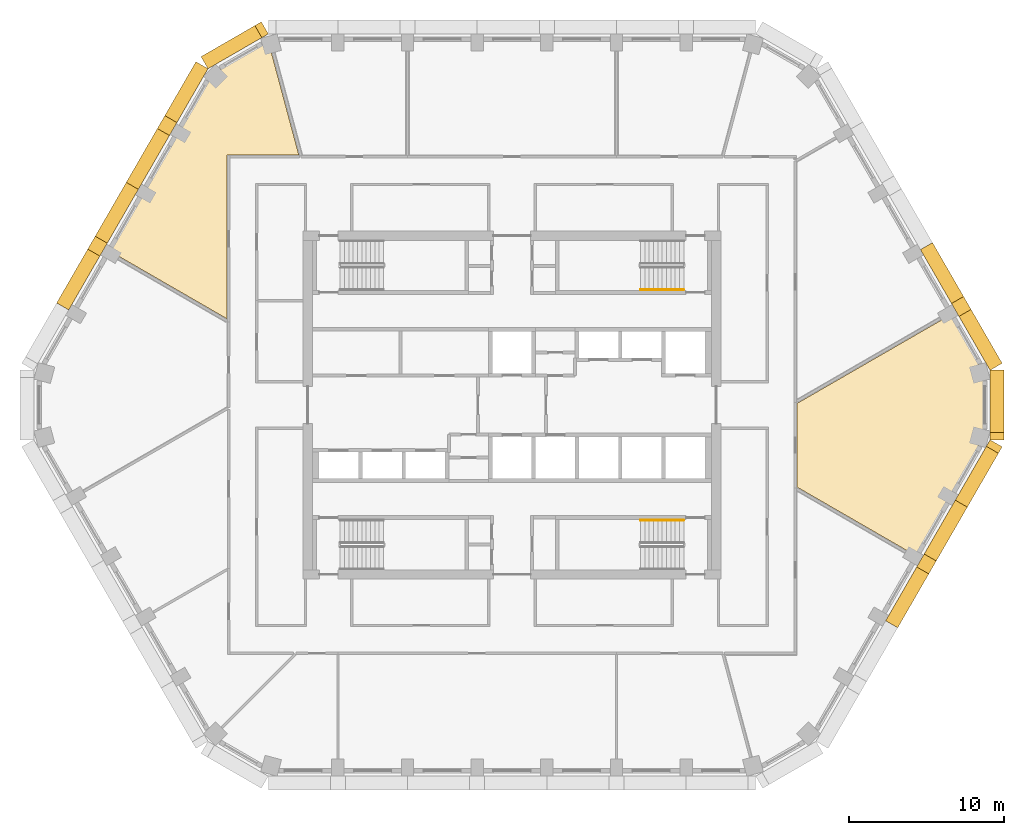
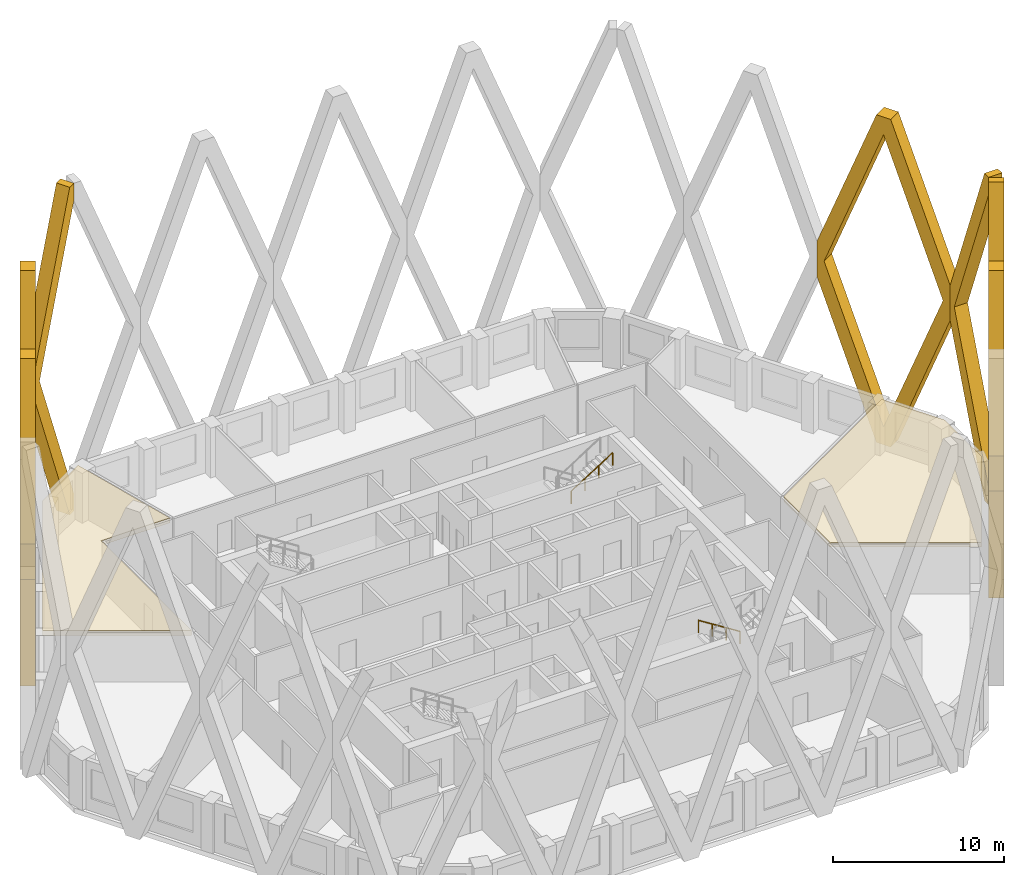
# One storey, part 13 of 16: 9 coverings, 2 railings.
"""IFC4 building model written with IfcOpenShell, lengths in metres."""

from ifc_helpers import new_model, si_unit, direction, frame, origin, origin_2d, place, context, subcontext, project, spatial, polyline, circle, outline, extrude, material, layer, layer_set, type_object, element, save


model = new_model("IFC4")

# Units and contexts
model_context = context("Model", 3, precision=1e-05, world=origin(), true_north=direction((0.0, 1.0)))
body_context = subcontext(model_context, "Body", "Model", "MODEL_VIEW")
ifc_project = project(units=[si_unit("LENGTHUNIT", "METRE"), si_unit("AREAUNIT", "SQUARE_METRE"), si_unit("VOLUMEUNIT", "CUBIC_METRE"), si_unit("PLANEANGLEUNIT", "RADIAN"), si_unit("MASSUNIT", "GRAM", prefix="KILO")], contexts=[model_context])

# Site, building, storey
site_placement = place(None, origin())
site = spatial("IfcSite", under=ifc_project, at=site_placement, CompositionType="ELEMENT")
building_placement = place(site_placement, origin())
building = spatial("IfcBuilding", under=site, at=building_placement, Name="Dhurran Vertical Campus", CompositionType="ELEMENT")
storey_placement = place(building_placement, frame((0.0, 0.0, 183.89990234375)))
storey = spatial("IfcBuildingStorey", under=building, at=storey_placement, Name="L45", CompositionType="ELEMENT", Elevation=183.89990234375)

# Coverings
ifc_material_1 = material(Name="Precast concrete C50/60", Category="concrete")
covering_type_1 = type_object("IfcCoveringType", Name="Folded precast fin lattice diamond", PredefinedType="USERDEFINED", material=ifc_material_1)
covering_1_placement = place(storey_placement, frame((24.147216796875, -13.94140625, 0.0), z_axis=(0.866013897511, -0.50001992892, 0.0), x_axis=(0.50001992892, 0.866013897511, 0.0)))
element("IfcCovering", 1, at=covering_1_placement, inside=storey, type_object=covering_type_1, Name="FN1 L45.007", ObjectType="FIN", PredefinedType="USERDEFINED", context=body_context, shape_type="SweptSolid", body=[
    extrude(outline(polyline([(9.0, 12.95361328125), (9.0, 10.4462890625), (4.982177734375, 0.0), (4.017822265625, 0.0), (0.0, 10.4462890625), (0.0, 12.95361328125), (4.017822265625, 23.39990234375), (4.982177734375, 23.39990234375), (9.0, 12.95361328125)]), holes=[polyline([(8.517822265625, 11.699951171875), (4.5, 22.146484375), (0.482177734375, 11.699951171875), (4.5, 1.253662109375), (8.517822265625, 11.699951171875)])]), origin(), (0.0, 0.0, 1.0), 0.89990234375),
])
covering_2_placement = place(storey_placement, frame((28.647216796875, -6.147216796875, 0.0), z_axis=(0.866013897511, -0.50001992892, 0.0), x_axis=(0.50001992892, 0.866013897511, 0.0)))
element("IfcCovering", 2, at=covering_2_placement, inside=storey, type_object=covering_type_1, Name="FN1 L45.008", ObjectType="FIN", PredefinedType="USERDEFINED", context=body_context, shape_type="SweptSolid", body=[
    extrude(outline(polyline([(4.017822265625, 0.0), (0.0, 10.4462890625), (0.0, 12.95361328125), (4.017822265625, 23.39990234375), (4.5, 23.39990234375), (4.5, 22.146484375), (0.482177734375, 11.699951171875), (4.5, 1.253662109375), (4.5, 0.0), (4.017822265625, 0.0)])), origin(), (0.0, 0.0, 1.0), 0.89990234375),
])
covering_3_placement = place(storey_placement, frame((30.897216796875, -2.25, 0.0), z_axis=(1.0, 0.0, 0.0), x_axis=(0.0, 1.0, 0.0)))
element("IfcCovering", 3, at=covering_3_placement, inside=storey, type_object=covering_type_1, Name="FN1 L45.009", ObjectType="FIN", PredefinedType="USERDEFINED", context=body_context, shape_type="SweptSolid", body=[
    extrude(outline(polyline([(4.5, 10.4462890625), (0.482177734375, 0.0), (0.0, 0.0), (0.0, 1.253662109375), (4.017822265625, 11.699951171875), (0.0, 22.146484375), (0.0, 23.39990234375), (0.482177734375, 23.39990234375), (4.5, 12.95361328125), (4.5, 10.4462890625)])), origin(), (0.0, 0.0, 1.0), 0.89990234375),
])
covering_4_placement = place(storey_placement, frame((30.897216796875, 2.25, 0.0), z_axis=(0.866013897511, 0.50001992892, 0.0), x_axis=(-0.50001992892, 0.866013897511, 0.0)))
element("IfcCovering", 4, at=covering_4_placement, inside=storey, type_object=covering_type_1, Name="FN1 L45.010", ObjectType="FIN", PredefinedType="USERDEFINED", context=body_context, shape_type="SweptSolid", body=[
    extrude(outline(polyline([(9.0, 12.95361328125), (9.0, 10.4462890625), (4.982177734375, 0.0), (4.017822265625, 0.0), (0.0, 10.4462890625), (0.0, 12.95361328125), (4.017822265625, 23.39990234375), (4.982177734375, 23.39990234375), (9.0, 12.95361328125)]), holes=[polyline([(8.517822265625, 11.699951171875), (4.5, 22.146484375), (0.482177734375, 11.699951171875), (4.5, 1.253662109375), (8.517822265625, 11.699951171875)])]), origin(), (0.0, 0.0, 1.0), 0.89990234375),
])
covering_5_placement = place(storey_placement, frame((-15.75, 23.985595703125, 0.0), z_axis=(-0.50001992892, 0.866013897511, 0.0), x_axis=(-0.866013897511, -0.50001992892, 0.0)))
element("IfcCovering", 5, at=covering_5_placement, inside=storey, type_object=covering_type_1, Name="FN1 L45.018", ObjectType="FIN", PredefinedType="USERDEFINED", context=body_context, shape_type="SweptSolid", body=[
    extrude(outline(polyline([(4.5, 10.4462890625), (0.482177734375, 0.0), (0.0, 0.0), (0.0, 1.253662109375), (4.017822265625, 11.699951171875), (0.0, 22.146484375), (0.0, 23.39990234375), (0.482177734375, 23.39990234375), (4.5, 12.95361328125), (4.5, 10.4462890625)])), origin(), (0.0, 0.0, 1.0), 0.89990234375),
])
for number, where, z_axis, x_axis, name in (
    (6, (-19.647216796875, 21.735595703125, 0.0), (-0.866013897511, 0.50001992892, 0.0), (-0.50001992892, -0.866013897511, 0.0), "FN1 L45.019"),
    (7, (-24.147216796875, 13.94140625, 0.0), (-0.866013897511, 0.50001992892, 0.0), (-0.50001992892, -0.866013897511, 0.0), "FN1 L45.020"),
):
    element("IfcCovering", number, at=place(storey_placement, frame(where, z_axis=z_axis, x_axis=x_axis)), inside=storey, type_object=covering_type_1, Name=name, ObjectType="FIN", PredefinedType="USERDEFINED", context=body_context, shape_type="SweptSolid", body=[
        extrude(outline(polyline([(9.0, 12.95361328125), (9.0, 10.4462890625), (4.982177734375, 0.0), (4.017822265625, 0.0), (0.0, 10.4462890625), (0.0, 12.95361328125), (4.017822265625, 23.39990234375), (4.982177734375, 23.39990234375), (9.0, 12.95361328125)]), holes=[polyline([(8.517822265625, 11.699951171875), (4.5, 22.146484375), (0.482177734375, 11.699951171875), (4.5, 1.253662109375), (8.517822265625, 11.699951171875)])]), origin(), (0.0, 0.0, 1.0), 0.89990234375),
    ])

# Railings
ifc_material_2 = material(Name="Stainless steel handrail", Category="steel")
railing_type = type_object("IfcRailingType", Name="co-RL-HANDRAIL-900", PredefinedType="HANDRAIL", material=ifc_material_2)
railing_1_placement = place(storey_placement, frame((8.300048828125, 7.449951171875, 2.12744140625)))
element("IfcRailing", 8, at=railing_1_placement, inside=storey, type_object=railing_type, Name="L45 ST2 stair handrail 2", PredefinedType="HANDRAIL", context=body_context, shape_type="SweptSolid", body=[
    extrude(circle(Radius=0.02392578125, at=origin_2d()), frame((0.0, 0.0, 0.8759765625), z_axis=(0.844908973607, 0.0, 0.534910110503), x_axis=(0.0, 1.0, 0.0)), (0.0, 0.0, 1.0), 3.31396484375),
    extrude(circle(Radius=0.02099609375, at=origin_2d()), origin(), (0.0, 0.0, 1.0), 0.851806640625),
    extrude(circle(Radius=0.02099609375, at=origin_2d()), frame((0.933349609375, 0.0, 0.5908203125)), (0.0, 0.0, 1.0), 0.851806640625),
    extrude(circle(Radius=0.02099609375, at=origin_2d()), frame((1.86669921875, 0.0, 1.181884765625)), (0.0, 0.0, 1.0), 0.851806640625),
    extrude(circle(Radius=0.02099609375, at=origin_2d()), frame((2.800048828125, 0.0, 1.772705078125)), (0.0, 0.0, 1.0), 0.851806640625),
])
railing_2_placement = place(storey_placement, frame((11.10009765625, -7.449951171875, 0.177490234375)))
element("IfcRailing", 9, at=railing_2_placement, inside=storey, type_object=railing_type, Name="L45 ST4 stair handrail 1", PredefinedType="HANDRAIL", context=body_context, shape_type="SweptSolid", body=[
    extrude(circle(Radius=0.02392578125, at=origin_2d()), frame((0.0, 0.0, 0.8759765625), z_axis=(-0.844908973607, 0.0, 0.534910110503), x_axis=(0.0, -1.0, 0.0)), (0.0, 0.0, 1.0), 3.31396484375),
    extrude(circle(Radius=0.02099609375, at=origin_2d()), origin(), (0.0, 0.0, 1.0), 0.851806640625),
    extrude(circle(Radius=0.02099609375, at=origin_2d()), frame((-0.933349609375, 0.0, 0.5908203125)), (0.0, 0.0, 1.0), 0.851806640625),
    extrude(circle(Radius=0.02099609375, at=origin_2d()), frame((-1.86669921875, 0.0, 1.181884765625)), (0.0, 0.0, 1.0), 0.851806640625),
    extrude(circle(Radius=0.02099609375, at=origin_2d()), frame((-2.800048828125, 0.0, 1.772705078125)), (0.0, 0.0, 1.0), 0.851806640625),
])

# Coverings
ifc_material_3 = material(Name="Mineral fibre ceiling tiles on suspended grid")
ifc_layer = layer(ifc_material_3, 0.35009765625)
ifc_layer_set = layer_set([ifc_layer], Name="Mineral fibre ceiling tiles on suspended grid")
covering_type_2 = type_object("IfcCoveringType", Name="fl-CE-350 suspended ceiling", PredefinedType="CEILING", material=ifc_layer_set)
covering_6_placement = place(storey_placement, frame((0.0, 0.0, 3.2001953125)))
element("IfcCovering", 10, at=covering_6_placement, inside=storey, type_object=covering_type_2, Name="Ceiling 45-11", PredefinedType="CEILING", context=body_context, shape_type="SweptSolid", body=[
    extrude(outline(polyline([(-25.972900390625, 9.93798828125), (-19.339111328125, 21.427978515625), (-15.7451171875, 23.50390625), (-13.780029296875, 16.169921875), (-18.419921875, 16.169921875), (-18.419921875, 5.576904296875), (-25.972900390625, 9.93798828125)])), origin(), (0.0, 0.0, 1.0), 0.349853515625),
])
covering_7_placement = place(storey_placement, frame((0.0, 0.0, 3.2001953125)))
element("IfcCovering", 11, at=covering_7_placement, inside=storey, type_object=covering_type_2, Name="Ceiling 45-31", PredefinedType="CEILING", context=body_context, shape_type="SweptSolid", body=[
    extrude(outline(polyline([(28.343017578125, 5.8330078125), (30.47705078125, 2.137939453125), (30.47705078125, -2.137939453125), (26.093017578125, -9.72998046875), (18.419921875, -5.300048828125), (18.419921875, 0.10400390625), (28.343017578125, 5.8330078125)])), origin(), (0.0, 0.0, 1.0), 0.349853515625),
])

save(model, "model.ifc")
